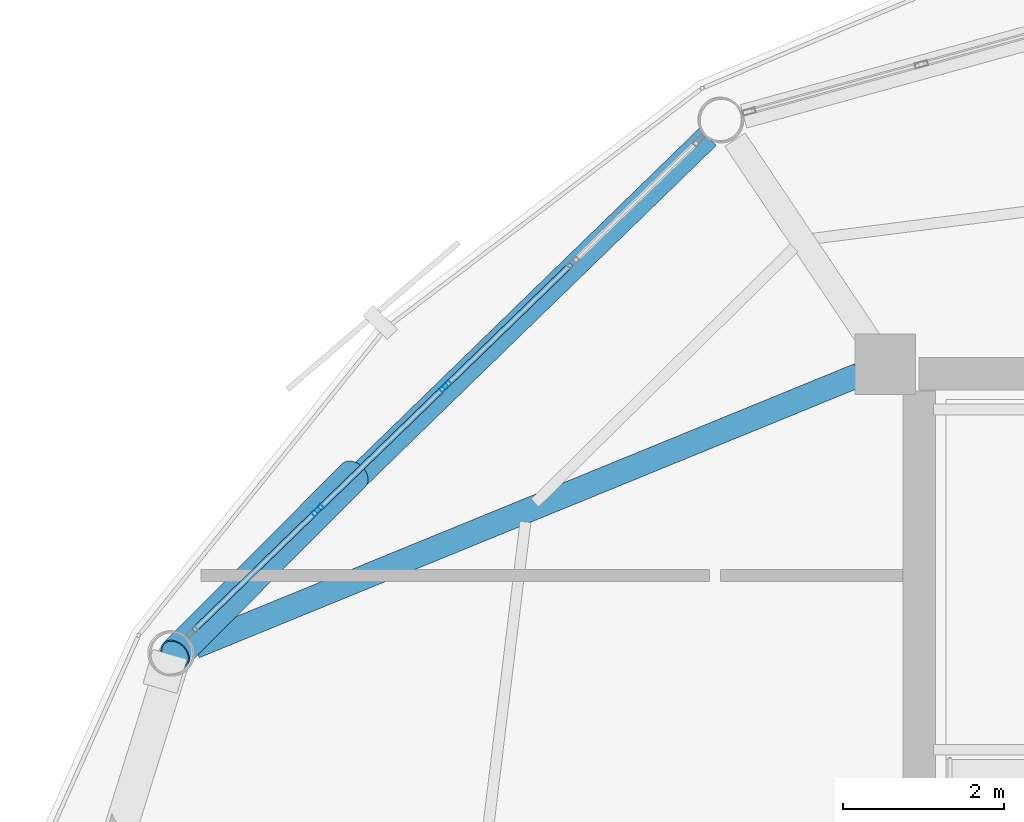
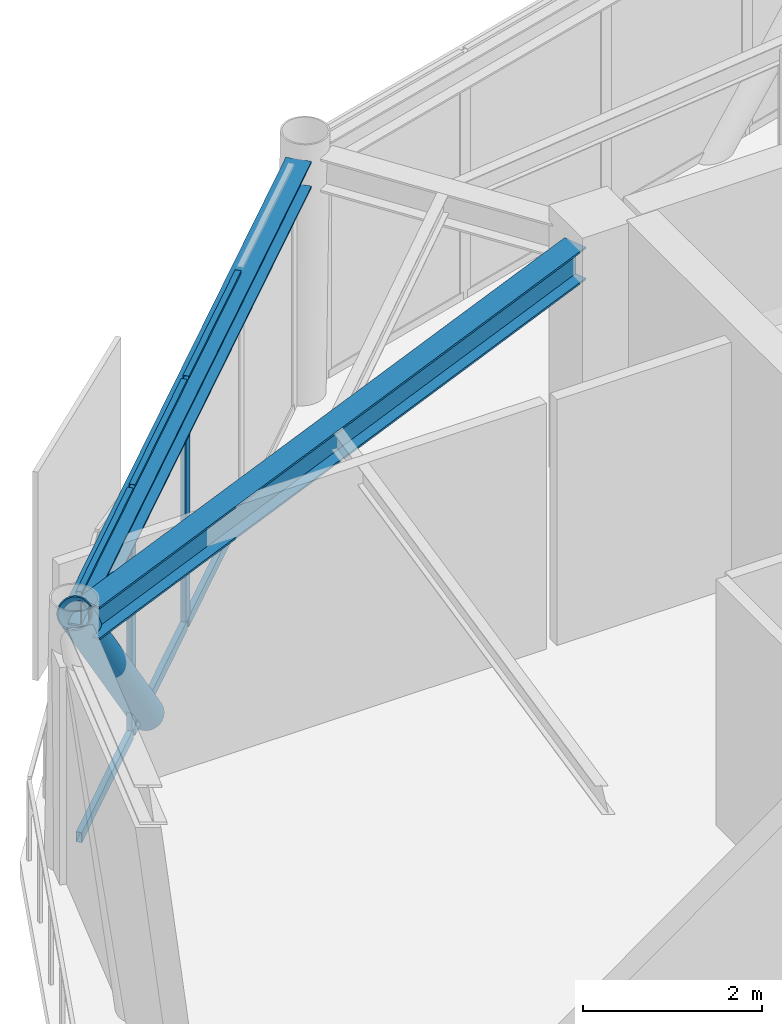
# One storey, part 13 of 27: 9 members, 2 beams, 1 element without a shape of its own.
"""IFC4 building model written with IfcOpenShell, lengths in metres."""

from ifc_helpers import new_model, si_unit, direction, frame, origin, origin_2d, place, context, subcontext, project, spatial, hollow_rectangle, hollow_circle, i_section, extrude, material, layer, layer_set, material_profile, profile_set, type_object, element, aggregate, save


model = new_model("IFC4")

# Units and contexts
model_context = context("Model", 3, precision=1e-05, world=origin(), true_north=direction((0.0, 1.0)))
body_context = subcontext(model_context, "Body", "Model", "MODEL_VIEW")
ifc_project = project(units=[si_unit("LENGTHUNIT", "METRE"), si_unit("AREAUNIT", "SQUARE_METRE"), si_unit("VOLUMEUNIT", "CUBIC_METRE"), si_unit("PLANEANGLEUNIT", "RADIAN"), si_unit("MASSUNIT", "GRAM", prefix="KILO")], contexts=[model_context])

# Site, building, storey
site_placement = place(None, origin())
site = spatial("IfcSite", under=ifc_project, at=site_placement, CompositionType="ELEMENT")
building_placement = place(site_placement, origin())
building = spatial("IfcBuilding", under=site, at=building_placement, Name="Varnakorn Sky Granary", CompositionType="ELEMENT")
storey_placement = place(building_placement, frame((0.0, 0.0, 232.800048828125)))
storey = spatial("IfcBuildingStorey", under=building, at=storey_placement, Name="L59", CompositionType="ELEMENT", Elevation=232.800048828125)

# Beams
ifc_material_1 = material(Name="Steel S355JR", Category="steel")
ifc_material_profile_1 = material_profile(ifc_material_1, i_section(OverallWidth=0.300048828125, OverallDepth=0.449951171875, WebThickness=0.013916015625, FlangeThickness=0.02587890625, at=origin_2d()), Name="HE 450 B")
ifc_profile_set_1 = profile_set([ifc_material_profile_1], Name="Steel S355JR")
beam_type_1 = type_object("IfcBeamType", Name="BM-RAD-Z5", PredefinedType="BEAM", material=ifc_profile_set_1)
beam_1_placement = place(storey_placement, frame((-2.74853515625, 12.485595703125, 3.135009765625), z_axis=(-0.92562345573, -0.378445792952, 0.0), x_axis=(0.378445792952, -0.92562345573, 0.0)))
element("IfcBeam", 1, at=beam_1_placement, inside=storey, type_object=beam_type_1, Name="Radial Floor Girder RG06 L59", PredefinedType="BEAM", context=body_context, shape_type="SweptSolid", body=[
    extrude(i_section(OverallWidth=0.300048828125, OverallDepth=0.449951171875, WebThickness=0.013916015625, FlangeThickness=0.02587890625, at=origin_2d()), origin(), (0.0, 0.0, 1.0), 8.894287109375),
])
ifc_material_profile_2 = material_profile(ifc_material_1, i_section(OverallWidth=0.300048828125, OverallDepth=0.360107421875, WebThickness=0.012451171875, FlangeThickness=0.0224609375, at=origin_2d()), Name="HE 360 B")
ifc_profile_set_2 = profile_set([ifc_material_profile_2], Name="Steel S355JR")
beam_type_2 = type_object("IfcBeamType", Name="BM-SPD-Z5", PredefinedType="SPANDREL", material=ifc_profile_set_2)
beam_2_placement = place(storey_placement, frame((-4.62109375, 15.43798828125, 3.179931640625), z_axis=(-0.717159724333, -0.696908838941, 0.0), x_axis=(0.696908838941, -0.717159724333, 0.0)))
element("IfcBeam", 2, at=beam_2_placement, inside=storey, type_object=beam_type_2, Name="Perimeter Spandrel Ring Beam RB05 L59", PredefinedType="SPANDREL", context=body_context, shape_type="SweptSolid", body=[
    extrude(i_section(OverallWidth=0.300048828125, OverallDepth=0.360107421875, WebThickness=0.012451171875, FlangeThickness=0.0224609375, at=origin_2d()), origin(), (0.0, 0.0, 1.0), 8.9453125),
])

# Curtain wall, members
ifc_material_2 = material(Name="Anodised Bronze Aluminium Alloy 6063-T6", Category="aluminium")
ifc_layer = layer(ifc_material_2, 0.169921875, Name="Anodised Bronze Aluminium Alloy 6063-T6")
ifc_layer_set = layer_set([ifc_layer], Name="Anodised Bronze Aluminium Alloy 6063-T6")
curtain_wall_type = type_object("IfcCurtainWallType", Name="CW-LAB-1", PredefinedType="USERDEFINED", material=ifc_layer_set)
curtain_wall_placement = place(storey_placement, origin())
curtain_wall = element("IfcCurtainWall", 3, at=curtain_wall_placement, inside=storey, type_object=curtain_wall_type, Name="Unitised Curtain Wall CW5 CW-L59-B05", ObjectType="CURTAIN WALL", PredefinedType="USERDEFINED")
ifc_material_profile_3 = material_profile(ifc_material_2, hollow_rectangle(XDim=0.06494140625, YDim=0.159912109375, WallThickness=0.00341796875, at=origin_2d()), Name="ALU MULL 65x160")
ifc_profile_set_3 = profile_set([ifc_material_profile_3], Name="Anodised Bronze Aluminium Alloy 6063-T6")
member_type_1 = type_object("IfcMemberType", Name="CW-LAB-1-MULL", PredefinedType="MULLION", material=ifc_profile_set_3)
member_1_placement = place(storey_placement, frame((-9.458251953125, 10.80859375, 0.0), z_axis=(0.0, 0.0, 1.0), x_axis=(-0.696278954574, 0.717771284893, 0.0)))
member_1 = element("IfcMember", 4, at=member_1_placement, type_object=member_type_1, Name="CW5 mullion 2", PredefinedType="MULLION", context=body_context, shape_type="SweptSolid", body=[
    extrude(hollow_rectangle(XDim=0.06494140625, YDim=0.159912109375, WallThickness=0.00341796875, at=origin_2d()), origin(), (0.0, 0.0, 1.0), 3.35986328125),
])
member_2_placement = place(storey_placement, frame((-7.875244140625, 12.343994140625, 0.0), z_axis=(0.0, 0.0, 1.0), x_axis=(-0.696278954574, 0.717771284893, 0.0)))
member_2 = element("IfcMember", 5, at=member_2_placement, type_object=member_type_1, Name="CW5 mullion 3", PredefinedType="MULLION", context=body_context, shape_type="SweptSolid", body=[
    extrude(hollow_rectangle(XDim=0.06494140625, YDim=0.159912109375, WallThickness=0.00341796875, at=origin_2d()), origin(), (0.0, 0.0, 1.0), 3.35986328125),
])
ifc_material_profile_4 = material_profile(ifc_material_2, hollow_rectangle(XDim=0.070068359375, YDim=0.139892578125, WallThickness=0.00341796875, at=origin_2d()), Name="ALU TRAN 70x140")
ifc_profile_set_4 = profile_set([ifc_material_profile_4], Name="Anodised Bronze Aluminium Alloy 6063-T6")
member_type_2 = type_object("IfcMemberType", Name="CW-LAB-1-TRAN", PredefinedType="USERDEFINED", material=ifc_profile_set_4)
member_3_placement = place(storey_placement, frame((-10.99462890625, 9.318115234375, 0.034912109375), z_axis=(0.717795152557, 0.696254349334, 0.0), x_axis=(-0.696254349334, 0.717795152557, 0.0)))
member_3 = element("IfcMember", 6, at=member_3_placement, type_object=member_type_2, Name="CW5 transom 1.1", ObjectType="TRANSOM", PredefinedType="USERDEFINED", context=body_context, shape_type="SweptSolid", body=[
    extrude(hollow_rectangle(XDim=0.070068359375, YDim=0.139892578125, WallThickness=0.00341796875, at=origin_2d()), origin(), (0.0, 0.0, 1.0), 2.108154296875),
])
member_4_placement = place(storey_placement, frame((-10.99462890625, 9.318115234375, 3.324951171875), z_axis=(0.717795152557, 0.696254349334, 0.0), x_axis=(-0.696254349334, 0.717795152557, 0.0)))
member_4 = element("IfcMember", 7, at=member_4_placement, type_object=member_type_2, Name="CW5 transom 1.2", ObjectType="TRANSOM", PredefinedType="USERDEFINED", context=body_context, shape_type="SweptSolid", body=[
    extrude(hollow_rectangle(XDim=0.070068359375, YDim=0.139892578125, WallThickness=0.00341796875, at=origin_2d()), origin(), (0.0, 0.0, 1.0), 2.108154296875),
])
member_5_placement = place(storey_placement, frame((-9.434814453125, 10.8310546875, 0.034912109375), z_axis=(0.71774664761, 0.696304351447, 0.0), x_axis=(-0.696304351447, 0.71774664761, 0.0)))
member_5 = element("IfcMember", 8, at=member_5_placement, type_object=member_type_2, Name="CW5 transom 2.1", ObjectType="TRANSOM", PredefinedType="USERDEFINED", context=body_context, shape_type="SweptSolid", body=[
    extrude(hollow_rectangle(XDim=0.070068359375, YDim=0.139892578125, WallThickness=0.00341796875, at=origin_2d()), origin(), (0.0, 0.0, 1.0), 2.140625),
])
member_6_placement = place(storey_placement, frame((-9.434814453125, 10.8310546875, 3.324951171875), z_axis=(0.71774664761, 0.696304351447, 0.0), x_axis=(-0.696304351447, 0.71774664761, 0.0)))
member_6 = element("IfcMember", 9, at=member_6_placement, type_object=member_type_2, Name="CW5 transom 2.2", ObjectType="TRANSOM", PredefinedType="USERDEFINED", context=body_context, shape_type="SweptSolid", body=[
    extrude(hollow_rectangle(XDim=0.070068359375, YDim=0.139892578125, WallThickness=0.00341796875, at=origin_2d()), origin(), (0.0, 0.0, 1.0), 2.140625),
])
member_7_placement = place(storey_placement, frame((-7.851806640625, 12.36669921875, 0.034912109375), z_axis=(0.71774664761, 0.696304351447, 0.0), x_axis=(-0.696304351447, 0.71774664761, 0.0)))
member_7 = element("IfcMember", 10, at=member_7_placement, type_object=member_type_2, Name="CW5 transom 3.1", ObjectType="TRANSOM", PredefinedType="USERDEFINED", context=body_context, shape_type="SweptSolid", body=[
    extrude(hollow_rectangle(XDim=0.070068359375, YDim=0.139892578125, WallThickness=0.00341796875, at=origin_2d()), origin(), (0.0, 0.0, 1.0), 2.140625),
])
member_8_placement = place(storey_placement, frame((-7.851806640625, 12.36669921875, 3.324951171875), z_axis=(0.71774664761, 0.696304351447, 0.0), x_axis=(-0.696304351447, 0.71774664761, 0.0)))
member_8 = element("IfcMember", 11, at=member_8_placement, type_object=member_type_2, Name="CW5 transom 3.2", ObjectType="TRANSOM", PredefinedType="USERDEFINED", context=body_context, shape_type="SweptSolid", body=[
    extrude(hollow_rectangle(XDim=0.070068359375, YDim=0.139892578125, WallThickness=0.00341796875, at=origin_2d()), origin(), (0.0, 0.0, 1.0), 2.140625),
])
aggregate(curtain_wall, [member_1, member_2, member_3, member_4, member_5, member_6, member_7, member_8])

# Member
ifc_material_3 = material(Name="Steel S460M", Category="steel")
ifc_material_profile_5 = material_profile(ifc_material_3, hollow_circle(Radius=0.203125, WallThickness=0.01611328125, at=origin_2d()), Name="CHS 406.4x16")
ifc_profile_set_5 = profile_set([ifc_material_profile_5], Name="Steel S460M")
member_type_3 = type_object("IfcMemberType", Name="MB-DIAG-T4", PredefinedType="BRACE", material=ifc_profile_set_5)
member_9_placement = place(storey_placement, frame((-9.01171875, 11.24169921875, -0.130126953125), z_axis=(-0.471872378484, -0.473537198342, 0.743706245913), x_axis=(0.70835086324, -0.705860506437, 0.0)))
element("IfcMember", 12, at=member_9_placement, inside=storey, type_object=member_type_3, Name="Perimeter CHS Diagrid Brace DG05 L59", PredefinedType="BRACE", context=body_context, shape_type="SweptSolid", body=[
    extrude(hollow_circle(Radius=0.203125, WallThickness=0.01611328125, at=origin_2d()), origin(), (0.0, 0.0, 1.0), 4.692626953125),
])

save(model, "model.ifc")
